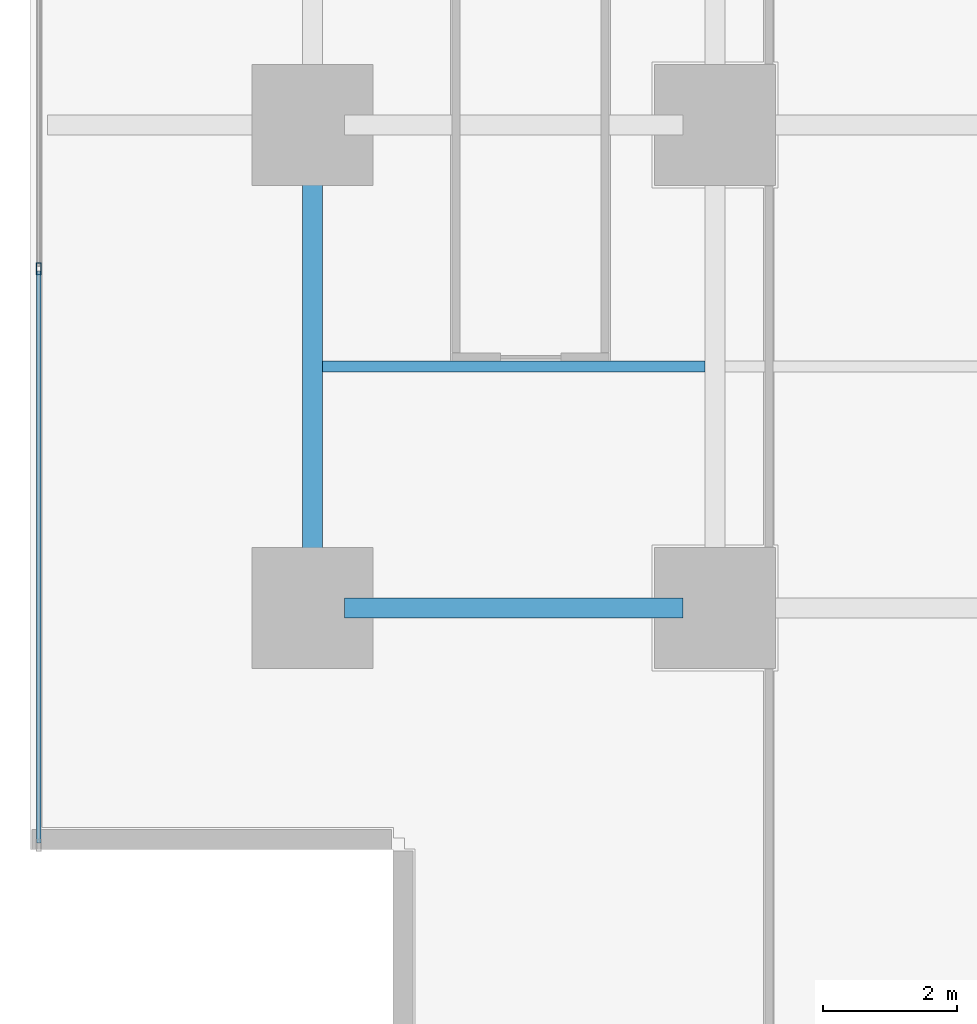
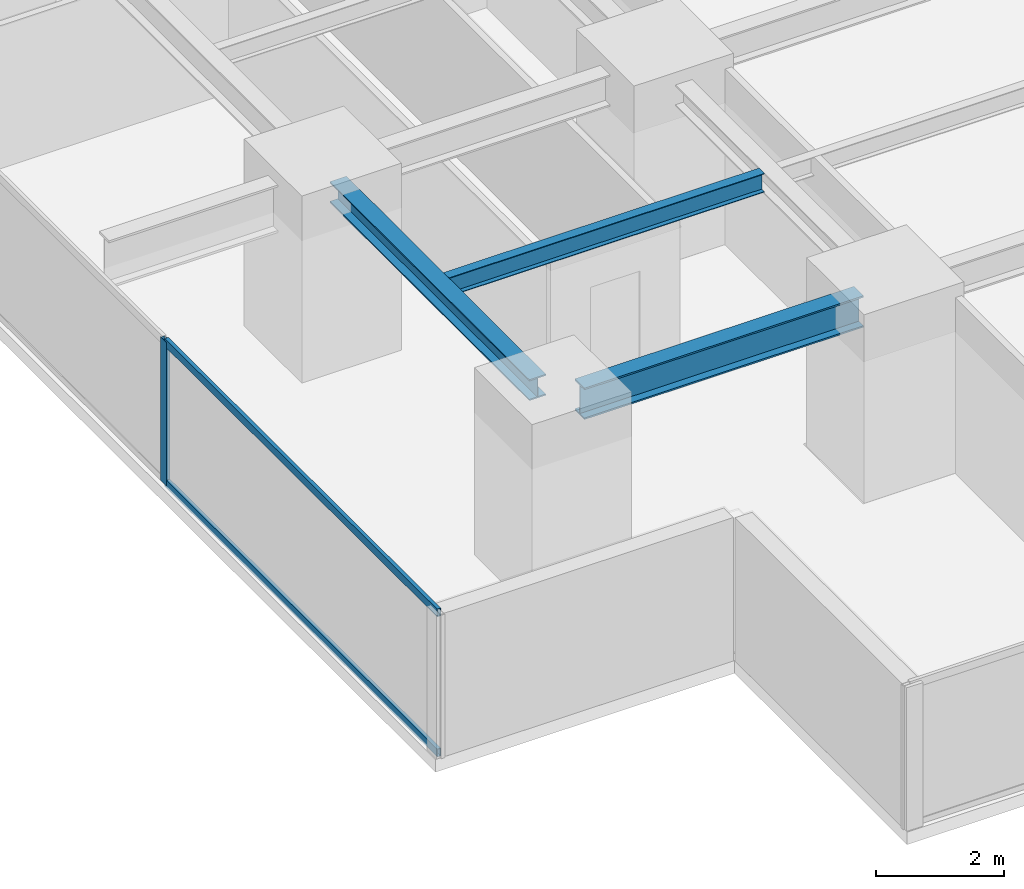
# One storey, part 3 of 33: 3 beams, 3 members, 1 element without a shape of its own.
"""IFC4 building model written with IfcOpenShell, lengths in metres."""

from ifc_helpers import new_model, si_unit, direction, frame, origin, origin_2d, place, context, subcontext, project, spatial, hollow_rectangle, i_section, extrude, source, transform, mapped, material, layer, layer_set, material_profile, profile_set, type_object, element, aggregate, save


model = new_model("IFC4")

# Units and contexts
model_context = context("Model", 3, precision=1e-05, world=origin(), true_north=direction((0.0, 1.0)))
body_context = subcontext(model_context, "Body", "Model", "MODEL_VIEW")
ifc_project = project(units=[si_unit("LENGTHUNIT", "METRE"), si_unit("AREAUNIT", "SQUARE_METRE"), si_unit("VOLUMEUNIT", "CUBIC_METRE"), si_unit("PLANEANGLEUNIT", "RADIAN"), si_unit("MASSUNIT", "GRAM", prefix="KILO")], contexts=[model_context])

# Site, building, storey
site_placement = place(None, origin())
site = spatial("IfcSite", under=ifc_project, at=site_placement, CompositionType="ELEMENT")
building_placement = place(site_placement, origin())
building = spatial("IfcBuilding", under=site, at=building_placement, Name="Sumidabori Civic Tower", CompositionType="ELEMENT")
storey_placement = place(building_placement, frame((0.0, 0.0, 30.800048828125)))
storey = spatial("IfcBuildingStorey", under=building, at=storey_placement, Name="L07", CompositionType="ELEMENT", Elevation=30.800048828125)

# Beams
ifc_material_1 = material(Name="Steel SN490", Category="steel")
ifc_material_profile_1 = material_profile(ifc_material_1, i_section(OverallWidth=0.300048828125, OverallDepth=0.60009765625, WebThickness=0.015380859375, FlangeThickness=0.030029296875, at=origin_2d()), Name="HE 600 B")
ifc_profile_set_1 = profile_set([ifc_material_profile_1], Name="Steel SN490")
beam_type_1 = type_object("IfcBeamType", Name="BM-GIRD-600", PredefinedType="BEAM", material=ifc_profile_set_1)
shared_shape_1 = source(origin(), body_context, "Body", "SweptSolid", [
    extrude(i_section(OverallWidth=0.300048828125, OverallDepth=0.60009765625, WebThickness=0.015380859375, FlangeThickness=0.030029296875, at=origin_2d()), origin(), (0.0, 0.0, 1.0), 5.0400390625),
])
beam_1_placement = place(storey_placement, frame((-22.320068359375, -18.0, 3.06005859375), z_axis=(1.0, 0.0, 0.0), x_axis=(0.0, 1.0, 0.0)))
element("IfcBeam", 1, at=beam_1_placement, inside=storey, type_object=beam_type_1, Name="Primary Girder L07 GX-01", PredefinedType="BEAM", context=body_context, shape_type="MappedRepresentation", body=[
    mapped(shared_shape_1, transform((0.0, 0.0, 0.0), x_axis=(1.0, 0.0, 0.0), y_axis=(0.0, 1.0, 0.0), z_axis=(0.0, 0.0, 1.0), scale=1.0)),
])
ifc_material_profile_2 = material_profile(ifc_material_1, i_section(OverallWidth=0.300048828125, OverallDepth=0.39990234375, WebThickness=0.013427734375, FlangeThickness=0.02392578125, at=origin_2d()), Name="HE 400 B")
ifc_profile_set_2 = profile_set([ifc_material_profile_2], Name="Steel SN490")
beam_type_2 = type_object("IfcBeamType", Name="BM-GIRD-400", PredefinedType="BEAM", material=ifc_profile_set_2)
shared_shape_2 = source(origin(), body_context, "Body", "SweptSolid", [
    extrude(i_section(OverallWidth=0.300048828125, OverallDepth=0.39990234375, WebThickness=0.013427734375, FlangeThickness=0.02392578125, at=origin_2d()), origin(), (0.0, 0.0, 1.0), 6.239990234375),
])
beam_2_placement = place(storey_placement, frame((-22.800048828125, -17.52001953125, 3.159912109375), z_axis=(0.0, 1.0, 0.0), x_axis=(-1.0, 0.0, 0.0)))
element("IfcBeam", 2, at=beam_2_placement, inside=storey, type_object=beam_type_2, Name="Primary Girder L07 GY-21", PredefinedType="BEAM", context=body_context, shape_type="MappedRepresentation", body=[
    mapped(shared_shape_2, transform((0.0, 0.0, 0.0), x_axis=(1.0, 0.0, 0.0), y_axis=(0.0, 1.0, 0.0), z_axis=(0.0, 0.0, 1.0), scale=1.0)),
])
ifc_material_profile_3 = material_profile(ifc_material_1, i_section(OverallWidth=0.169921875, OverallDepth=0.360107421875, WebThickness=0.008056640625, FlangeThickness=0.0126953125, at=origin_2d()), Name="IPE 360")
ifc_profile_set_3 = profile_set([ifc_material_profile_3], Name="Steel SN490")
beam_type_3 = type_object("IfcBeamType", Name="BM-JST-360", PredefinedType="JOIST", material=ifc_profile_set_3)
shared_shape_3 = source(origin(), body_context, "Body", "SweptSolid", [
    extrude(i_section(OverallWidth=0.169921875, OverallDepth=0.360107421875, WebThickness=0.008056640625, FlangeThickness=0.0126953125, at=origin_2d()), origin(), (0.0, 0.0, 1.0), 5.699951171875),
])
beam_3_placement = place(storey_placement, frame((-22.64990234375, -14.39990234375, 3.179931640625), z_axis=(1.0, 0.0, 0.0), x_axis=(0.0, 1.0, 0.0)))
element("IfcBeam", 3, at=beam_3_placement, inside=storey, type_object=beam_type_3, Name="Outer Bay Floor Joist L07 JSTO-57", PredefinedType="JOIST", context=body_context, shape_type="MappedRepresentation", body=[
    mapped(shared_shape_3, transform((0.0, 0.0, 0.0), x_axis=(1.0, 0.0, 0.0), y_axis=(0.0, 1.0, 0.0), z_axis=(0.0, 0.0, 1.0), scale=1.0)),
])

# Curtain wall, members
ifc_material_2 = material(Name="Anodised Bronze Aluminium AW-6063-T6", Category="aluminium")
ifc_layer = layer(ifc_material_2, 0.179931640625, Name="Anodised Bronze Aluminium AW-6063-T6")
ifc_layer_set = layer_set([ifc_layer], Name="Anodised Bronze Aluminium AW-6063-T6")
curtain_wall_type = type_object("IfcCurtainWallType", Name="CW-SYS-2", PredefinedType="NOTDEFINED", material=ifc_layer_set)
curtain_wall_placement = place(storey_placement, origin())
curtain_wall = element("IfcCurtainWall", 4, at=curtain_wall_placement, inside=storey, type_object=curtain_wall_type, Name="Curtain Wall CW:L07:R10", PredefinedType="NOTDEFINED")
ifc_material_profile_4 = material_profile(ifc_material_2, hollow_rectangle(XDim=0.070068359375, YDim=0.179931640625, WallThickness=0.006103515625, at=origin_2d()), Name="ALU MULLION 180x70")
ifc_profile_set_4 = profile_set([ifc_material_profile_4], Name="Anodised Bronze Aluminium AW-6063-T6")
member_type_1 = type_object("IfcMemberType", Name="CW-MUL-180", PredefinedType="MULLION", material=ifc_profile_set_4)
shared_shape_4 = source(origin(), body_context, "Body", "SweptSolid", [
    extrude(hollow_rectangle(XDim=0.070068359375, YDim=0.179931640625, WallThickness=0.006103515625, at=origin_2d()), origin(), (0.0, 0.0, 1.0), 2.739990234375),
])
member_1_placement = place(storey_placement, frame((-26.8798828125, -12.94189453125, 0.0), z_axis=(0.0, 0.0, 1.0), x_axis=(1.0, 0.0, 0.0)))
member_1 = element("IfcMember", 5, at=member_1_placement, type_object=member_type_1, Name="CW-2 mullion 5", PredefinedType="MULLION", context=body_context, shape_type="MappedRepresentation", body=[
    mapped(shared_shape_4, transform((0.0, 0.0, 0.0), x_axis=(1.0, 0.0, 0.0), y_axis=(0.0, 1.0, 0.0), z_axis=(0.0, 0.0, 1.0), scale=1.0)),
])
ifc_material_profile_5 = material_profile(ifc_material_2, hollow_rectangle(XDim=0.06494140625, YDim=0.14990234375, WallThickness=0.0048828125, at=origin_2d()), Name="ALU TRANSOM 150x65")
ifc_profile_set_5 = profile_set([ifc_material_profile_5], Name="Anodised Bronze Aluminium AW-6063-T6")
member_type_2 = type_object("IfcMemberType", Name="CW-TRN-150", PredefinedType="USERDEFINED", material=ifc_profile_set_5)
shared_shape_5 = source(origin(), body_context, "Body", "SweptSolid", [
    extrude(hollow_rectangle(XDim=0.06494140625, YDim=0.14990234375, WallThickness=0.0048828125, at=origin_2d()), origin(), (0.0, 0.0, 1.0), 8.52294921875),
])
member_2_placement = place(storey_placement, frame((-26.8798828125, -12.97705078125, 0.032470703125), z_axis=(0.0, -1.0, 0.0), x_axis=(1.0, 0.0, 0.0)))
member_2 = element("IfcMember", 6, at=member_2_placement, type_object=member_type_2, Name="CW-2 transom 5.1", ObjectType="TRANSOM", PredefinedType="USERDEFINED", context=body_context, shape_type="MappedRepresentation", body=[
    mapped(shared_shape_5, transform((0.0, 0.0, 0.0), x_axis=(1.0, 0.0, 0.0), y_axis=(0.0, 1.0, 0.0), z_axis=(0.0, 0.0, 1.0), scale=1.0)),
])
member_3_placement = place(storey_placement, frame((-26.8798828125, -12.97705078125, 2.70751953125), z_axis=(0.0, -1.0, 0.0), x_axis=(1.0, 0.0, 0.0)))
member_3 = element("IfcMember", 7, at=member_3_placement, type_object=member_type_2, Name="CW-2 transom 5.2", ObjectType="TRANSOM", PredefinedType="USERDEFINED", context=body_context, shape_type="MappedRepresentation", body=[
    mapped(shared_shape_5, transform((0.0, 0.0, 0.0), x_axis=(1.0, 0.0, 0.0), y_axis=(0.0, 1.0, 0.0), z_axis=(0.0, 0.0, 1.0), scale=1.0)),
])
aggregate(curtain_wall, [member_1, member_2, member_3])

save(model, "model.ifc")
